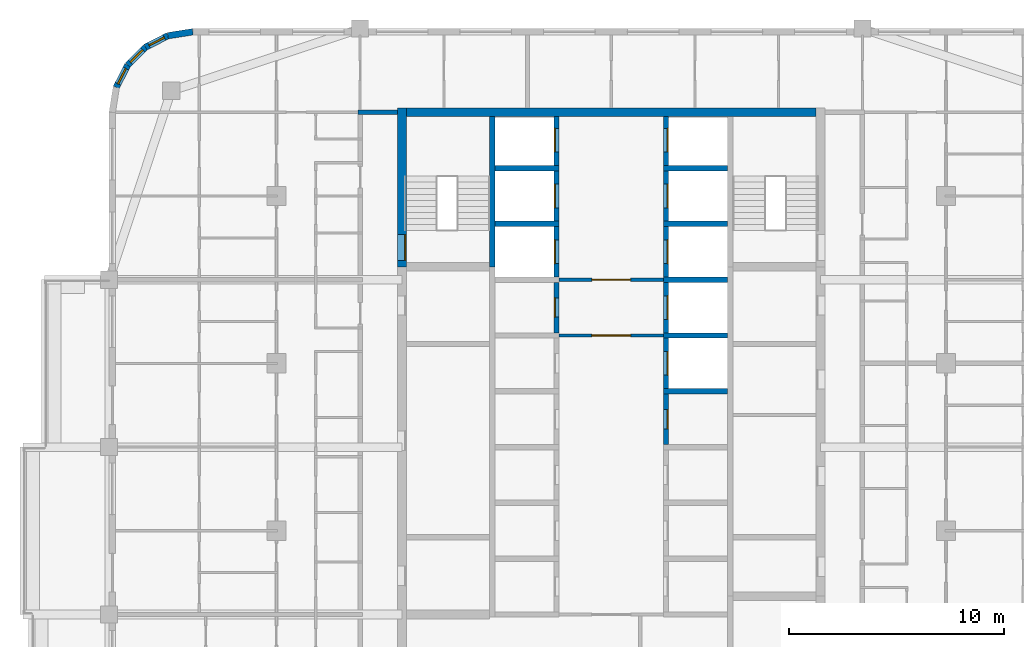
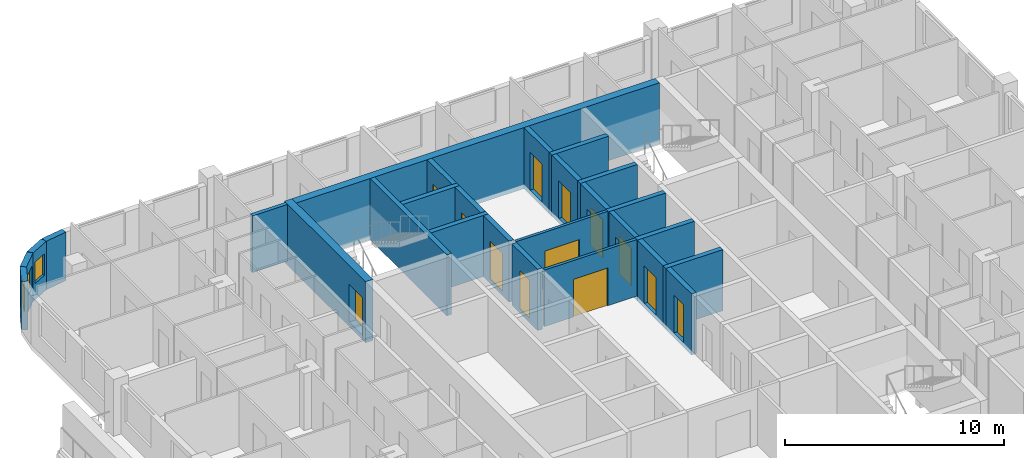
# One storey, part 9 of 16: 27 walls, 13 doors, 3 windows, 16 openings.
"""IFC4 building model written with IfcOpenShell, lengths in metres."""

from ifc_helpers import new_model, si_unit, direction, frame, frame_2d, origin, place, context, subcontext, project, spatial, rectangle, extrude, material, layer, layer_set, type_object, element, fill, save


model = new_model("IFC4")

# Units and contexts
model_context = context("Model", 3, precision=1e-05, world=origin(), true_north=direction((0.0, 1.0)))
body_context = subcontext(model_context, "Body", "Model", "MODEL_VIEW")
ifc_project = project(units=[si_unit("LENGTHUNIT", "METRE"), si_unit("AREAUNIT", "SQUARE_METRE"), si_unit("VOLUMEUNIT", "CUBIC_METRE"), si_unit("PLANEANGLEUNIT", "RADIAN"), si_unit("MASSUNIT", "GRAM", prefix="KILO")], contexts=[model_context])

# Site, building, storey
site_placement = place(None, origin())
site = spatial("IfcSite", under=ifc_project, at=site_placement, CompositionType="ELEMENT")
building_placement = place(site_placement, origin())
building = spatial("IfcBuilding", under=site, at=building_placement, Name="Ludao Terraces", CompositionType="ELEMENT")
storey_placement = place(building_placement, frame((0.0, 0.0, 207.5)))
storey = spatial("IfcBuildingStorey", under=building, at=storey_placement, Name="L56", CompositionType="ELEMENT", Elevation=207.5)

# Wall, opening, door
ifc_material_1 = material(Name="Concrete C50", Category="concrete")
ifc_layer_1 = layer(ifc_material_1, 0.39990234375)
ifc_layer_set_1 = layer_set([ifc_layer_1], Name="Core wall 400 C50")
wall_type_1 = type_object("IfcWallType", Name="Core wall 400 C50", PredefinedType="SOLIDWALL", material=ifc_layer_set_1)
wall_1_placement = place(storey_placement, frame((75.25, 77.300048828125, -0.25), z_axis=(0.0, 0.0, 1.0), x_axis=(0.0, 1.0, 0.0)))
wall_1 = element("IfcWall", 1, at=wall_1_placement, inside=storey, type_object=wall_type_1, Name="Core wall L56 outer-W-S1", PredefinedType="SOLIDWALL", context=body_context, shape_type="SweptSolid", body=[
    extrude(rectangle(XDim=7.39990234375, YDim=0.39990234375, at=frame_2d((3.699951171875, 0.0))), origin(), (0.0, 0.0, 1.0), 3.39990234375),
])
opening_1_placement = place(wall_1_placement, frame((0.300048828125, 0.0, 0.25)))
opening_1 = element("IfcOpeningElement", 2, at=opening_1_placement, cuts=wall_1, Name="Opening R20-109", PredefinedType="OPENING", context=body_context, shape_type="SweptSolid", body=[
    extrude(rectangle(XDim=1.199951171875, YDim=2.10009765625, at=frame_2d((0.60009765625, 1.050048828125))), frame((0.0, 0.2099609375, 0.0), z_axis=(0.0, -1.0, 0.0), x_axis=(1.0, 0.0, 0.0)), (0.0, 0.0, 1.0), 0.419921875),
])
ifc_material_2 = material(Name="Steel Q235", Category="steel")
door_type_1 = type_object("IfcDoorType", Name="INT Stair door 1200", OperationType="DOUBLE_DOOR_SINGLE_SWING", PredefinedType="DOOR", material=ifc_material_2)
door_1_placement = place(opening_1_placement, origin())
door_1 = element("IfcDoor", 3, at=door_1_placement, inside=storey, type_object=door_type_1, Name="DOOR 109", OperationType="DOUBLE_DOOR_SINGLE_SWING", OverallHeight=2.10009765625, OverallWidth=1.199951171875, PredefinedType="DOOR", context=body_context, shape_type="SweptSolid", body=[
    extrude(rectangle(XDim=1.199951171875, YDim=2.10009765625, at=frame_2d((0.60009765625, 1.050048828125))), frame((0.0, -0.134765625, 0.0), z_axis=(0.0, -1.0, 0.0), x_axis=(1.0, 0.0, 0.0)), (0.0, 0.0, 1.0), 0.050048828125),
])
fill(opening_1, door_1)

# Walls
wall_2_placement = place(storey_placement, frame((75.449951171875, 84.5, -0.25), z_axis=(0.0, 0.0, 1.0), x_axis=(1.0, 0.0, 0.0)))
element("IfcWall", 4, at=wall_2_placement, inside=storey, type_object=wall_type_1, Name="Core wall L56 outer-N", PredefinedType="SOLIDWALL", context=body_context, shape_type="SweptSolid", body=[
    extrude(rectangle(XDim=19.10009765625, YDim=0.39990234375, at=frame_2d((9.550048828125, 0.0))), origin(), (0.0, 0.0, 1.0), 3.39990234375),
])
ifc_material_3 = material(Name="Granite cladding", Category="masonry")
ifc_layer_2 = layer(ifc_material_3, 0.0400390625, Category="stone")
ifc_material_4 = material(Name="Mineral wool")
ifc_layer_3 = layer(ifc_material_4, 0.06005859375)
ifc_material_5 = material(Name="Concrete C40", Category="concrete")
ifc_layer_4 = layer(ifc_material_5, 0.199951171875, Category="concrete")
ifc_layer_set_2 = layer_set([ifc_layer_2, ifc_layer_3, ifc_layer_4], Name="ENV Stone-clad wall 300")
wall_type_2 = type_object("IfcWallType", Name="ENV Stone-clad wall 300", PredefinedType="SOLIDWALL", material=ifc_layer_set_2)
wall_3_placement = place(storey_placement, frame((65.5, 88.25, 0.0), z_axis=(0.0, 0.0, 1.0), x_axis=(-0.987678452879, -0.156496880861, 0.0)))
element("IfcWall", 5, at=wall_3_placement, inside=storey, type_object=wall_type_2, Name="EW-L56-NW1", PredefinedType="SOLIDWALL", context=body_context, shape_type="SweptSolid", body=[
    extrude(rectangle(XDim=1.173095703125, YDim=0.300048828125, at=frame_2d((0.58642578125, 0.0))), origin(), (0.0, 0.0, 1.0), 2.699951171875),
])

# Wall, opening, window
wall_4_placement = place(storey_placement, frame((64.34130859375, 88.06640625, 0.0), z_axis=(0.0, 0.0, 1.0), x_axis=(-0.890988677504, -0.454025524128, 0.0)))
wall_4 = element("IfcWall", 6, at=wall_4_placement, inside=storey, type_object=wall_type_2, Name="EW-L56-NW2", PredefinedType="SOLIDWALL", context=body_context, shape_type="SweptSolid", body=[
    extrude(rectangle(XDim=1.17333984375, YDim=0.300048828125, at=frame_2d((0.586669921875, 0.0))), origin(), (0.0, 0.0, 1.0), 2.699951171875),
])
opening_2_placement = place(wall_4_placement, frame((0.1865234375, 0.0, 0.89990234375)))
opening_2 = element("IfcOpeningElement", 7, at=opening_2_placement, cuts=wall_4, Name="Opening W3", PredefinedType="OPENING", context=body_context, shape_type="SweptSolid", body=[
    extrude(rectangle(XDim=0.800048828125, YDim=1.199951171875, at=frame_2d((0.39990234375, 0.60009765625))), frame((0.0, 0.16015625, 0.0), z_axis=(0.0, -1.0, 0.0), x_axis=(1.0, 0.0, 0.0)), (0.0, 0.0, 1.0), 0.320068359375),
])
ifc_material_6 = material(Name="Clear glass in aluminium frame", Category="aluminium")
ifc_layer_5 = layer(ifc_material_6, 0.06005859375)
ifc_layer_set_3 = layer_set([ifc_layer_5], Name="ENV Window W3 800x1200")
window_type = type_object("IfcWindowType", Name="ENV Window W3 800x1200", PartitioningType="SINGLE_PANEL", PredefinedType="WINDOW", material=ifc_layer_set_3)
window_1_placement = place(opening_2_placement, origin())
window_1 = element("IfcWindow", 8, at=window_1_placement, inside=storey, type_object=window_type, Name="W-L56-NW2", OverallHeight=1.199951171875, OverallWidth=0.800048828125, PartitioningType="SINGLE_PANEL", PredefinedType="WINDOW", context=body_context, shape_type="SweptSolid", body=[
    extrude(rectangle(XDim=0.800048828125, YDim=1.199951171875, at=frame_2d((0.39990234375, 0.60009765625))), frame((0.0, 0.030029296875, 0.0), z_axis=(0.0, -1.0, 0.0), x_axis=(1.0, 0.0, 0.0)), (0.0, 0.0, 1.0), 0.06005859375),
])
fill(opening_2, window_1)

wall_5_placement = place(storey_placement, frame((63.2958984375, 87.53369140625, 0.0), z_axis=(0.0, 0.0, 1.0), x_axis=(-0.707106781187, -0.707106781187, 0.0)))
wall_5 = element("IfcWall", 9, at=wall_5_placement, inside=storey, type_object=wall_type_2, Name="EW-L56-NW3", PredefinedType="SOLIDWALL", context=body_context, shape_type="SweptSolid", body=[
    extrude(rectangle(XDim=1.173095703125, YDim=0.300048828125, at=frame_2d((0.58642578125, 0.0))), origin(), (0.0, 0.0, 1.0), 2.699951171875),
])
opening_3_placement = place(wall_5_placement, frame((0.1865234375, 0.0, 0.89990234375)))
opening_3 = element("IfcOpeningElement", 10, at=opening_3_placement, cuts=wall_5, Name="Opening W3", PredefinedType="OPENING", context=body_context, shape_type="SweptSolid", body=[
    extrude(rectangle(XDim=0.800048828125, YDim=1.199951171875, at=frame_2d((0.39990234375, 0.60009765625))), frame((0.0, 0.16015625, 0.0), z_axis=(0.0, -1.0, 0.0), x_axis=(1.0, 0.0, 0.0)), (0.0, 0.0, 1.0), 0.320068359375),
])
window_2_placement = place(opening_3_placement, origin())
window_2 = element("IfcWindow", 11, at=window_2_placement, inside=storey, type_object=window_type, Name="W-L56-NW3", OverallHeight=1.199951171875, OverallWidth=0.800048828125, PartitioningType="SINGLE_PANEL", PredefinedType="WINDOW", context=body_context, shape_type="SweptSolid", body=[
    extrude(rectangle(XDim=0.800048828125, YDim=1.199951171875, at=frame_2d((0.39990234375, 0.60009765625))), frame((0.0, 0.030029296875, 0.0), z_axis=(0.0, -1.0, 0.0), x_axis=(1.0, 0.0, 0.0)), (0.0, 0.0, 1.0), 0.06005859375),
])
fill(opening_3, window_2)

wall_6_placement = place(storey_placement, frame((62.46630859375, 86.7041015625, 0.0), z_axis=(0.0, 0.0, 1.0), x_axis=(-0.454025524128, -0.890988677504, 0.0)))
wall_6 = element("IfcWall", 12, at=wall_6_placement, inside=storey, type_object=wall_type_2, Name="EW-L56-NW4", PredefinedType="SOLIDWALL", context=body_context, shape_type="SweptSolid", body=[
    extrude(rectangle(XDim=1.17333984375, YDim=0.300048828125, at=frame_2d((0.586669921875, 0.0))), origin(), (0.0, 0.0, 1.0), 2.699951171875),
])
opening_4_placement = place(wall_6_placement, frame((0.1865234375, 0.0, 0.89990234375)))
opening_4 = element("IfcOpeningElement", 13, at=opening_4_placement, cuts=wall_6, Name="Opening W3", PredefinedType="OPENING", context=body_context, shape_type="SweptSolid", body=[
    extrude(rectangle(XDim=0.800048828125, YDim=1.199951171875, at=frame_2d((0.39990234375, 0.60009765625))), frame((0.0, 0.16015625, 0.0), z_axis=(0.0, -1.0, 0.0), x_axis=(1.0, 0.0, 0.0)), (0.0, 0.0, 1.0), 0.320068359375),
])
window_3_placement = place(opening_4_placement, origin())
window_3 = element("IfcWindow", 14, at=window_3_placement, inside=storey, type_object=window_type, Name="W-L56-NW4", OverallHeight=1.199951171875, OverallWidth=0.800048828125, PartitioningType="SINGLE_PANEL", PredefinedType="WINDOW", context=body_context, shape_type="SweptSolid", body=[
    extrude(rectangle(XDim=0.800048828125, YDim=1.199951171875, at=frame_2d((0.39990234375, 0.60009765625))), frame((0.0, 0.030029296875, 0.0), z_axis=(0.0, -1.0, 0.0), x_axis=(1.0, 0.0, 0.0)), (0.0, 0.0, 1.0), 0.06005859375),
])
fill(opening_4, window_3)

# Wall, opening, door
ifc_material_7 = material(Name="Fire-rated gypsum plasterboard", Category="gypsum")
ifc_layer_6 = layer(ifc_material_7, 0.012451171875, Category="gypsum")
ifc_layer_7 = layer(ifc_material_4, 0.10009765625, Name="insulation")
ifc_layer_8 = layer(ifc_material_2, 0.02490234375, Name="stud")
ifc_layer_9 = layer(ifc_material_7, 0.012451171875, Category="gypsum")
ifc_layer_set_4 = layer_set([ifc_layer_6, ifc_layer_7, ifc_layer_8, ifc_layer_9], Name="INT Core partition 150")
wall_type_3 = type_object("IfcWallType", Name="INT Core partition 150", PredefinedType="PARTITIONING", material=ifc_layer_set_4)
wall_7_placement = place(storey_placement, frame((82.5751953125, 74.10009765625, 0.0), z_axis=(0.0, 0.0, 1.0), x_axis=(1.0, 0.0, 0.0)))
wall_7 = element("IfcWall", 15, at=wall_7_placement, inside=storey, type_object=wall_type_3, Name="PW-L56-PW047", PredefinedType="PARTITIONING", context=body_context, shape_type="SweptSolid", body=[
    extrude(rectangle(XDim=4.849853515625, YDim=0.14990234375, at=frame_2d((2.4248046875, 0.0))), origin(), (0.0, 0.0, 1.0), 3.14990234375),
])
opening_5_placement = place(wall_7_placement, frame((1.52490234375, 0.0, 0.0)))
opening_5 = element("IfcOpeningElement", 16, at=opening_5_placement, cuts=wall_7, Name="Opening R20-091", PredefinedType="OPENING", context=body_context, shape_type="SweptSolid", body=[
    extrude(rectangle(XDim=1.800048828125, YDim=2.10009765625, at=frame_2d((0.89990234375, 1.050048828125))), frame((0.0, 0.0849609375, 0.0), z_axis=(0.0, -1.0, 0.0), x_axis=(1.0, 0.0, 0.0)), (0.0, 0.0, 1.0), 0.169921875),
])
door_type_2 = type_object("IfcDoorType", Name="INT Fire lobby door 1800", OperationType="DOUBLE_DOOR_SINGLE_SWING", PredefinedType="DOOR", material=ifc_material_2)
door_2_placement = place(opening_5_placement, origin())
door_2 = element("IfcDoor", 17, at=door_2_placement, inside=storey, type_object=door_type_2, Name="DOOR 091", OperationType="DOUBLE_DOOR_SINGLE_SWING", OverallHeight=2.10009765625, OverallWidth=1.800048828125, PredefinedType="DOOR", context=body_context, shape_type="SweptSolid", body=[
    extrude(rectangle(XDim=1.800048828125, YDim=2.10009765625, at=frame_2d((0.89990234375, 1.050048828125))), frame((0.0, 0.02490234375, 0.0), z_axis=(0.0, -1.0, 0.0), x_axis=(1.0, 0.0, 0.0)), (0.0, 0.0, 1.0), 0.050048828125),
])
fill(opening_5, door_2)

wall_8_placement = place(storey_placement, frame((82.5751953125, 76.699951171875, 0.0), z_axis=(0.0, 0.0, 1.0), x_axis=(1.0, 0.0, 0.0)))
wall_8 = element("IfcWall", 18, at=wall_8_placement, inside=storey, type_object=wall_type_3, Name="PW-L56-PW053", PredefinedType="PARTITIONING", context=body_context, shape_type="SweptSolid", body=[
    extrude(rectangle(XDim=4.849853515625, YDim=0.14990234375, at=frame_2d((2.4248046875, 0.0))), origin(), (0.0, 0.0, 1.0), 3.14990234375),
])
opening_6_placement = place(wall_8_placement, frame((1.52490234375, 0.0, 0.0)))
opening_6 = element("IfcOpeningElement", 19, at=opening_6_placement, cuts=wall_8, Name="Opening R20-104", PredefinedType="OPENING", context=body_context, shape_type="SweptSolid", body=[
    extrude(rectangle(XDim=1.800048828125, YDim=2.10009765625, at=frame_2d((0.89990234375, 1.050048828125))), frame((0.0, 0.0849609375, 0.0), z_axis=(0.0, -1.0, 0.0), x_axis=(1.0, 0.0, 0.0)), (0.0, 0.0, 1.0), 0.169921875),
])
door_3_placement = place(opening_6_placement, origin())
door_3 = element("IfcDoor", 20, at=door_3_placement, inside=storey, type_object=door_type_2, Name="DOOR 104", OperationType="DOUBLE_DOOR_SINGLE_SWING", OverallHeight=2.10009765625, OverallWidth=1.800048828125, PredefinedType="DOOR", context=body_context, shape_type="SweptSolid", body=[
    extrude(rectangle(XDim=1.800048828125, YDim=2.10009765625, at=frame_2d((0.89990234375, 1.050048828125))), frame((0.0, 0.02490234375, 0.0), z_axis=(0.0, -1.0, 0.0), x_axis=(1.0, 0.0, 0.0)), (0.0, 0.0, 1.0), 0.050048828125),
])
fill(opening_6, door_3)

# Walls
ifc_material_8 = material(Name="Autoclaved aerated concrete block B06 A3.5", Category="concrete")
ifc_layer_10 = layer(ifc_material_8, 0.199951171875)
ifc_layer_set_5 = layer_set([ifc_layer_10], Name="INT Entrance wall 200")
wall_type_4 = type_object("IfcWallType", Name="INT Entrance wall 200", PredefinedType="PARTITIONING", material=ifc_layer_set_5)
wall_9_placement = place(storey_placement, frame((73.2001953125, 84.5, 0.0), z_axis=(0.0, 0.0, 1.0), x_axis=(1.0, 0.0, 0.0)))
element("IfcWall", 21, at=wall_9_placement, inside=storey, type_object=wall_type_4, Name="PW-L56-PW067", PredefinedType="PARTITIONING", context=body_context, shape_type="SweptSolid", body=[
    extrude(rectangle(XDim=1.849853515625, YDim=0.199951171875, at=frame_2d((0.9248046875, 0.0))), origin(), (0.0, 0.0, 1.0), 3.14990234375),
])
ifc_layer_11 = layer(ifc_material_1, 0.25)
ifc_layer_set_6 = layer_set([ifc_layer_11], Name="Shaft wall 250 C50")
wall_type_5 = type_object("IfcWallType", Name="Shaft wall 250 C50", PredefinedType="SOLIDWALL", material=ifc_layer_set_6)
wall_10_placement = place(storey_placement, frame((79.449951171875, 77.300048828125, -0.25), z_axis=(0.0, 0.0, 1.0), x_axis=(0.0, 1.0, 0.0)))
element("IfcWall", 22, at=wall_10_placement, inside=storey, type_object=wall_type_5, Name="Core wall L56 back-W-S1", PredefinedType="SOLIDWALL", context=body_context, shape_type="SweptSolid", body=[
    extrude(rectangle(XDim=7.0, YDim=0.25, at=frame_2d((3.5, 0.0))), origin(), (0.0, 0.0, 1.0), 3.39990234375),
])

# Wall, opening, door
wall_11_placement = place(storey_placement, frame((82.449951171875, 74.22509765625, -0.25), z_axis=(0.0, 0.0, 1.0), x_axis=(0.0, 1.0, 0.0)))
wall_11 = element("IfcWall", 23, at=wall_11_placement, inside=storey, type_object=wall_type_5, Name="Core wall L56 front-W6", PredefinedType="SOLIDWALL", context=body_context, shape_type="SweptSolid", body=[
    extrude(rectangle(XDim=2.349853515625, YDim=0.25, at=frame_2d((1.1748046875, 0.0))), origin(), (0.0, 0.0, 1.0), 3.39990234375),
])
opening_7_placement = place(wall_11_placement, frame((0.72509765625, 0.0, 0.25)))
opening_7 = element("IfcOpeningElement", 24, at=opening_7_placement, cuts=wall_11, Name="Opening R20-094", PredefinedType="OPENING", context=body_context, shape_type="SweptSolid", body=[
    extrude(rectangle(XDim=0.89990234375, YDim=2.10009765625, at=frame_2d((0.449951171875, 1.050048828125))), frame((0.0, 0.135009765625, 0.0), z_axis=(0.0, -1.0, 0.0), x_axis=(1.0, 0.0, 0.0)), (0.0, 0.0, 1.0), 0.27001953125),
])
ifc_material_9 = material(Name="Timber door leaf", Category="wood")
door_type_3 = type_object("IfcDoorType", Name="INT Room door 900", OperationType="SINGLE_SWING_LEFT", PredefinedType="DOOR", material=ifc_material_9)
door_4_placement = place(opening_7_placement, origin())
door_4 = element("IfcDoor", 25, at=door_4_placement, inside=storey, type_object=door_type_3, Name="DOOR 094", OperationType="SINGLE_SWING_LEFT", OverallHeight=2.10009765625, OverallWidth=0.89990234375, PredefinedType="DOOR", context=body_context, shape_type="SweptSolid", body=[
    extrude(rectangle(XDim=0.89990234375, YDim=2.10009765625, at=frame_2d((0.449951171875, 1.050048828125))), frame((0.0, 0.10986328125, 0.0), z_axis=(0.0, -1.0, 0.0), x_axis=(1.0, 0.0, 0.0)), (0.0, 0.0, 1.0), 0.050048828125),
])
fill(opening_7, door_4)

wall_12_placement = place(storey_placement, frame((82.449951171875, 76.824951171875, -0.25), z_axis=(0.0, 0.0, 1.0), x_axis=(0.0, 1.0, 0.0)))
wall_12 = element("IfcWall", 26, at=wall_12_placement, inside=storey, type_object=wall_type_5, Name="Core wall L56 front-W7", PredefinedType="SOLIDWALL", context=body_context, shape_type="SweptSolid", body=[
    extrude(rectangle(XDim=2.35009765625, YDim=0.25, at=frame_2d((1.175048828125, 0.0))), origin(), (0.0, 0.0, 1.0), 3.39990234375),
])
opening_8_placement = place(wall_12_placement, frame((0.625, 0.0, 0.25)))
opening_8 = element("IfcOpeningElement", 27, at=opening_8_placement, cuts=wall_12, Name="Opening LD-FF1", PredefinedType="OPENING", context=body_context, shape_type="SweptSolid", body=[
    extrude(rectangle(XDim=1.10009765625, YDim=2.10009765625, at=frame_2d((0.550048828125, 1.050048828125))), frame((0.0, 0.135009765625, 0.0), z_axis=(0.0, -1.0, 0.0), x_axis=(1.0, 0.0, 0.0)), (0.0, 0.0, 1.0), 0.27001953125),
])
ifc_material_10 = material(Name="Stainless steel 304", Category="steel")
door_type_4 = type_object("IfcDoorType", Name="INT Lift landing door 1100", OperationType="SLIDING_TO_LEFT", PredefinedType="DOOR", material=ifc_material_10)
door_5_placement = place(opening_8_placement, origin())
door_5 = element("IfcDoor", 28, at=door_5_placement, inside=storey, type_object=door_type_4, Name="LANDING DOOR FF1 L56", OperationType="SLIDING_TO_LEFT", OverallHeight=2.10009765625, OverallWidth=1.10009765625, PredefinedType="DOOR", context=body_context, shape_type="SweptSolid", body=[
    extrude(rectangle(XDim=1.10009765625, YDim=2.10009765625, at=frame_2d((0.550048828125, 1.050048828125))), frame((0.0, 0.10986328125, 0.0), z_axis=(0.0, -1.0, 0.0), x_axis=(1.0, 0.0, 0.0)), (0.0, 0.0, 1.0), 0.050048828125),
])
fill(opening_8, door_5)

# Wall
wall_13_placement = place(storey_placement, frame((79.574951171875, 79.300048828125, -0.25), z_axis=(0.0, 0.0, 1.0), x_axis=(1.0, 0.0, 0.0)))
element("IfcWall", 29, at=wall_13_placement, inside=storey, type_object=wall_type_5, Name="Core wall L56 div-W8", PredefinedType="SOLIDWALL", context=body_context, shape_type="SweptSolid", body=[
    extrude(rectangle(XDim=3.0, YDim=0.25, at=frame_2d((1.5, 0.0))), origin(), (0.0, 0.0, 1.0), 3.39990234375),
])

# Wall, opening, door
wall_14_placement = place(storey_placement, frame((82.449951171875, 79.425048828125, -0.25), z_axis=(0.0, 0.0, 1.0), x_axis=(0.0, 1.0, 0.0)))
wall_14 = element("IfcWall", 30, at=wall_14_placement, inside=storey, type_object=wall_type_5, Name="Core wall L56 front-W8", PredefinedType="SOLIDWALL", context=body_context, shape_type="SweptSolid", body=[
    extrude(rectangle(XDim=2.349853515625, YDim=0.25, at=frame_2d((1.1748046875, 0.0))), origin(), (0.0, 0.0, 1.0), 3.39990234375),
])
opening_9_placement = place(wall_14_placement, frame((0.625, 0.0, 0.25)))
opening_9 = element("IfcOpeningElement", 31, at=opening_9_placement, cuts=wall_14, Name="Opening LD-FF2", PredefinedType="OPENING", context=body_context, shape_type="SweptSolid", body=[
    extrude(rectangle(XDim=1.10009765625, YDim=2.10009765625, at=frame_2d((0.550048828125, 1.050048828125))), frame((0.0, 0.135009765625, 0.0), z_axis=(0.0, -1.0, 0.0), x_axis=(1.0, 0.0, 0.0)), (0.0, 0.0, 1.0), 0.27001953125),
])
door_6_placement = place(opening_9_placement, origin())
door_6 = element("IfcDoor", 32, at=door_6_placement, inside=storey, type_object=door_type_4, Name="LANDING DOOR FF2 L56", OperationType="SLIDING_TO_LEFT", OverallHeight=2.10009765625, OverallWidth=1.10009765625, PredefinedType="DOOR", context=body_context, shape_type="SweptSolid", body=[
    extrude(rectangle(XDim=1.10009765625, YDim=2.10009765625, at=frame_2d((0.550048828125, 1.050048828125))), frame((0.0, 0.10986328125, 0.0), z_axis=(0.0, -1.0, 0.0), x_axis=(1.0, 0.0, 0.0)), (0.0, 0.0, 1.0), 0.050048828125),
])
fill(opening_9, door_6)

# Wall
wall_15_placement = place(storey_placement, frame((79.574951171875, 81.89990234375, -0.25), z_axis=(0.0, 0.0, 1.0), x_axis=(1.0, 0.0, 0.0)))
element("IfcWall", 33, at=wall_15_placement, inside=storey, type_object=wall_type_5, Name="Core wall L56 div-W9", PredefinedType="SOLIDWALL", context=body_context, shape_type="SweptSolid", body=[
    extrude(rectangle(XDim=3.0, YDim=0.25, at=frame_2d((1.5, 0.0))), origin(), (0.0, 0.0, 1.0), 3.39990234375),
])

# Wall, opening, door
wall_16_placement = place(storey_placement, frame((82.449951171875, 82.02490234375, -0.25), z_axis=(0.0, 0.0, 1.0), x_axis=(0.0, 1.0, 0.0)))
wall_16 = element("IfcWall", 34, at=wall_16_placement, inside=storey, type_object=wall_type_5, Name="Core wall L56 front-W9", PredefinedType="SOLIDWALL", context=body_context, shape_type="SweptSolid", body=[
    extrude(rectangle(XDim=2.275146484375, YDim=0.25, at=frame_2d((1.1376953125, 0.0))), origin(), (0.0, 0.0, 1.0), 3.39990234375),
])
opening_10_placement = place(wall_16_placement, frame((0.625, 0.0, 0.25)))
opening_10 = element("IfcOpeningElement", 35, at=opening_10_placement, cuts=wall_16, Name="Opening LD-LB6", PredefinedType="OPENING", context=body_context, shape_type="SweptSolid", body=[
    extrude(rectangle(XDim=1.10009765625, YDim=2.10009765625, at=frame_2d((0.550048828125, 1.050048828125))), frame((0.0, 0.135009765625, 0.0), z_axis=(0.0, -1.0, 0.0), x_axis=(1.0, 0.0, 0.0)), (0.0, 0.0, 1.0), 0.27001953125),
])
door_7_placement = place(opening_10_placement, origin())
door_7 = element("IfcDoor", 36, at=door_7_placement, inside=storey, type_object=door_type_4, Name="LANDING DOOR LB6 L56", OperationType="SLIDING_TO_RIGHT", OverallHeight=2.10009765625, OverallWidth=1.10009765625, PredefinedType="DOOR", context=body_context, shape_type="SweptSolid", body=[
    extrude(rectangle(XDim=1.10009765625, YDim=2.10009765625, at=frame_2d((0.550048828125, 1.050048828125))), frame((0.0, 0.10986328125, 0.0), z_axis=(0.0, -1.0, 0.0), x_axis=(1.0, 0.0, 0.0)), (0.0, 0.0, 1.0), 0.050048828125),
])
fill(opening_10, door_7)

wall_17_placement = place(storey_placement, frame((87.550048828125, 69.02490234375, -0.25), z_axis=(0.0, 0.0, 1.0), x_axis=(0.0, 1.0, 0.0)))
wall_17 = element("IfcWall", 37, at=wall_17_placement, inside=storey, type_object=wall_type_5, Name="Core wall L56 front-E4", PredefinedType="SOLIDWALL", context=body_context, shape_type="SweptSolid", body=[
    extrude(rectangle(XDim=2.35009765625, YDim=0.25, at=frame_2d((1.175048828125, 0.0))), origin(), (0.0, 0.0, 1.0), 3.39990234375),
])
opening_11_placement = place(wall_17_placement, frame((0.72509765625, 0.0, 0.25)))
opening_11 = element("IfcOpeningElement", 38, at=opening_11_placement, cuts=wall_17, Name="Opening R20-079", PredefinedType="OPENING", context=body_context, shape_type="SweptSolid", body=[
    extrude(rectangle(XDim=0.89990234375, YDim=2.10009765625, at=frame_2d((0.449951171875, 1.050048828125))), frame((0.0, 0.135009765625, 0.0), z_axis=(0.0, -1.0, 0.0), x_axis=(1.0, 0.0, 0.0)), (0.0, 0.0, 1.0), 0.27001953125),
])
door_8_placement = place(opening_11_placement, origin())
door_8 = element("IfcDoor", 39, at=door_8_placement, inside=storey, type_object=door_type_3, Name="DOOR 079", OperationType="SINGLE_SWING_LEFT", OverallHeight=2.10009765625, OverallWidth=0.89990234375, PredefinedType="DOOR", context=body_context, shape_type="SweptSolid", body=[
    extrude(rectangle(XDim=0.89990234375, YDim=2.10009765625, at=frame_2d((0.449951171875, 1.050048828125))), frame((0.0, -0.06005859375, 0.0), z_axis=(0.0, -1.0, 0.0), x_axis=(1.0, 0.0, 0.0)), (0.0, 0.0, 1.0), 0.050048828125),
])
fill(opening_11, door_8)

# Wall
wall_18_placement = place(storey_placement, frame((87.425048828125, 71.5, -0.25), z_axis=(0.0, 0.0, 1.0), x_axis=(1.0, 0.0, 0.0)))
element("IfcWall", 40, at=wall_18_placement, inside=storey, type_object=wall_type_5, Name="Core wall L56 div-E5", PredefinedType="SOLIDWALL", context=body_context, shape_type="SweptSolid", body=[
    extrude(rectangle(XDim=3.0, YDim=0.25, at=frame_2d((1.5, 0.0))), origin(), (0.0, 0.0, 1.0), 3.39990234375),
])

# Wall, opening, door
wall_19_placement = place(storey_placement, frame((87.550048828125, 71.625, -0.25), z_axis=(0.0, 0.0, 1.0), x_axis=(0.0, 1.0, 0.0)))
wall_19 = element("IfcWall", 41, at=wall_19_placement, inside=storey, type_object=wall_type_5, Name="Core wall L56 front-E5", PredefinedType="SOLIDWALL", context=body_context, shape_type="SweptSolid", body=[
    extrude(rectangle(XDim=2.35009765625, YDim=0.25, at=frame_2d((1.175048828125, 0.0))), origin(), (0.0, 0.0, 1.0), 3.39990234375),
])
opening_12_placement = place(wall_19_placement, frame((0.625, 0.0, 0.25)))
opening_12 = element("IfcOpeningElement", 42, at=opening_12_placement, cuts=wall_19, Name="Opening LD-LB1", PredefinedType="OPENING", context=body_context, shape_type="SweptSolid", body=[
    extrude(rectangle(XDim=1.10009765625, YDim=2.10009765625, at=frame_2d((0.550048828125, 1.050048828125))), frame((0.0, 0.135009765625, 0.0), z_axis=(0.0, -1.0, 0.0), x_axis=(1.0, 0.0, 0.0)), (0.0, 0.0, 1.0), 0.27001953125),
])
door_9_placement = place(opening_12_placement, origin())
door_9 = element("IfcDoor", 43, at=door_9_placement, inside=storey, type_object=door_type_4, Name="LANDING DOOR LB1 L56", OperationType="SLIDING_TO_LEFT", OverallHeight=2.10009765625, OverallWidth=1.10009765625, PredefinedType="DOOR", context=body_context, shape_type="SweptSolid", body=[
    extrude(rectangle(XDim=1.10009765625, YDim=2.10009765625, at=frame_2d((0.550048828125, 1.050048828125))), frame((0.0, -0.06005859375, 0.0), z_axis=(0.0, -1.0, 0.0), x_axis=(1.0, 0.0, 0.0)), (0.0, 0.0, 1.0), 0.050048828125),
])
fill(opening_12, door_9)

# Wall
wall_20_placement = place(storey_placement, frame((87.425048828125, 74.10009765625, -0.25), z_axis=(0.0, 0.0, 1.0), x_axis=(1.0, 0.0, 0.0)))
element("IfcWall", 44, at=wall_20_placement, inside=storey, type_object=wall_type_5, Name="Core wall L56 div-E6", PredefinedType="SOLIDWALL", context=body_context, shape_type="SweptSolid", body=[
    extrude(rectangle(XDim=3.0, YDim=0.25, at=frame_2d((1.5, 0.0))), origin(), (0.0, 0.0, 1.0), 3.39990234375),
])

# Wall, opening, door
wall_21_placement = place(storey_placement, frame((87.550048828125, 74.22509765625, -0.25), z_axis=(0.0, 0.0, 1.0), x_axis=(0.0, 1.0, 0.0)))
wall_21 = element("IfcWall", 45, at=wall_21_placement, inside=storey, type_object=wall_type_5, Name="Core wall L56 front-E6", PredefinedType="SOLIDWALL", context=body_context, shape_type="SweptSolid", body=[
    extrude(rectangle(XDim=2.349853515625, YDim=0.25, at=frame_2d((1.1748046875, 0.0))), origin(), (0.0, 0.0, 1.0), 3.39990234375),
])
opening_13_placement = place(wall_21_placement, frame((0.625, 0.0, 0.25)))
opening_13 = element("IfcOpeningElement", 46, at=opening_13_placement, cuts=wall_21, Name="Opening LD-LB2", PredefinedType="OPENING", context=body_context, shape_type="SweptSolid", body=[
    extrude(rectangle(XDim=1.10009765625, YDim=2.10009765625, at=frame_2d((0.550048828125, 1.050048828125))), frame((0.0, 0.135009765625, 0.0), z_axis=(0.0, -1.0, 0.0), x_axis=(1.0, 0.0, 0.0)), (0.0, 0.0, 1.0), 0.27001953125),
])
door_10_placement = place(opening_13_placement, origin())
door_10 = element("IfcDoor", 47, at=door_10_placement, inside=storey, type_object=door_type_4, Name="LANDING DOOR LB2 L56", OperationType="SLIDING_TO_LEFT", OverallHeight=2.10009765625, OverallWidth=1.10009765625, PredefinedType="DOOR", context=body_context, shape_type="SweptSolid", body=[
    extrude(rectangle(XDim=1.10009765625, YDim=2.10009765625, at=frame_2d((0.550048828125, 1.050048828125))), frame((0.0, -0.06005859375, 0.0), z_axis=(0.0, -1.0, 0.0), x_axis=(1.0, 0.0, 0.0)), (0.0, 0.0, 1.0), 0.050048828125),
])
fill(opening_13, door_10)

# Wall
wall_22_placement = place(storey_placement, frame((87.425048828125, 76.699951171875, -0.25), z_axis=(0.0, 0.0, 1.0), x_axis=(1.0, 0.0, 0.0)))
element("IfcWall", 48, at=wall_22_placement, inside=storey, type_object=wall_type_5, Name="Core wall L56 div-E7", PredefinedType="SOLIDWALL", context=body_context, shape_type="SweptSolid", body=[
    extrude(rectangle(XDim=3.0, YDim=0.25, at=frame_2d((1.5, 0.0))), origin(), (0.0, 0.0, 1.0), 3.39990234375),
])

# Wall, opening, door
wall_23_placement = place(storey_placement, frame((87.550048828125, 76.824951171875, -0.25), z_axis=(0.0, 0.0, 1.0), x_axis=(0.0, 1.0, 0.0)))
wall_23 = element("IfcWall", 49, at=wall_23_placement, inside=storey, type_object=wall_type_5, Name="Core wall L56 front-E7", PredefinedType="SOLIDWALL", context=body_context, shape_type="SweptSolid", body=[
    extrude(rectangle(XDim=2.35009765625, YDim=0.25, at=frame_2d((1.175048828125, 0.0))), origin(), (0.0, 0.0, 1.0), 3.39990234375),
])
opening_14_placement = place(wall_23_placement, frame((0.625, 0.0, 0.25)))
opening_14 = element("IfcOpeningElement", 50, at=opening_14_placement, cuts=wall_23, Name="Opening LD-LB3", PredefinedType="OPENING", context=body_context, shape_type="SweptSolid", body=[
    extrude(rectangle(XDim=1.10009765625, YDim=2.10009765625, at=frame_2d((0.550048828125, 1.050048828125))), frame((0.0, 0.135009765625, 0.0), z_axis=(0.0, -1.0, 0.0), x_axis=(1.0, 0.0, 0.0)), (0.0, 0.0, 1.0), 0.27001953125),
])
door_11_placement = place(opening_14_placement, origin())
door_11 = element("IfcDoor", 51, at=door_11_placement, inside=storey, type_object=door_type_4, Name="LANDING DOOR LB3 L56", OperationType="SLIDING_TO_LEFT", OverallHeight=2.10009765625, OverallWidth=1.10009765625, PredefinedType="DOOR", context=body_context, shape_type="SweptSolid", body=[
    extrude(rectangle(XDim=1.10009765625, YDim=2.10009765625, at=frame_2d((0.550048828125, 1.050048828125))), frame((0.0, -0.06005859375, 0.0), z_axis=(0.0, -1.0, 0.0), x_axis=(1.0, 0.0, 0.0)), (0.0, 0.0, 1.0), 0.050048828125),
])
fill(opening_14, door_11)

# Wall
wall_24_placement = place(storey_placement, frame((87.425048828125, 79.300048828125, -0.25), z_axis=(0.0, 0.0, 1.0), x_axis=(1.0, 0.0, 0.0)))
element("IfcWall", 52, at=wall_24_placement, inside=storey, type_object=wall_type_5, Name="Core wall L56 div-E8", PredefinedType="SOLIDWALL", context=body_context, shape_type="SweptSolid", body=[
    extrude(rectangle(XDim=3.0, YDim=0.25, at=frame_2d((1.5, 0.0))), origin(), (0.0, 0.0, 1.0), 3.39990234375),
])

# Wall, opening, door
wall_25_placement = place(storey_placement, frame((87.550048828125, 79.425048828125, -0.25), z_axis=(0.0, 0.0, 1.0), x_axis=(0.0, 1.0, 0.0)))
wall_25 = element("IfcWall", 53, at=wall_25_placement, inside=storey, type_object=wall_type_5, Name="Core wall L56 front-E8", PredefinedType="SOLIDWALL", context=body_context, shape_type="SweptSolid", body=[
    extrude(rectangle(XDim=2.349853515625, YDim=0.25, at=frame_2d((1.1748046875, 0.0))), origin(), (0.0, 0.0, 1.0), 3.39990234375),
])
opening_15_placement = place(wall_25_placement, frame((0.625, 0.0, 0.25)))
opening_15 = element("IfcOpeningElement", 54, at=opening_15_placement, cuts=wall_25, Name="Opening LD-LB4", PredefinedType="OPENING", context=body_context, shape_type="SweptSolid", body=[
    extrude(rectangle(XDim=1.10009765625, YDim=2.10009765625, at=frame_2d((0.550048828125, 1.050048828125))), frame((0.0, 0.135009765625, 0.0), z_axis=(0.0, -1.0, 0.0), x_axis=(1.0, 0.0, 0.0)), (0.0, 0.0, 1.0), 0.27001953125),
])
door_12_placement = place(opening_15_placement, origin())
door_12 = element("IfcDoor", 55, at=door_12_placement, inside=storey, type_object=door_type_4, Name="LANDING DOOR LB4 L56", OperationType="SLIDING_TO_RIGHT", OverallHeight=2.10009765625, OverallWidth=1.10009765625, PredefinedType="DOOR", context=body_context, shape_type="SweptSolid", body=[
    extrude(rectangle(XDim=1.10009765625, YDim=2.10009765625, at=frame_2d((0.550048828125, 1.050048828125))), frame((0.0, -0.06005859375, 0.0), z_axis=(0.0, -1.0, 0.0), x_axis=(1.0, 0.0, 0.0)), (0.0, 0.0, 1.0), 0.050048828125),
])
fill(opening_15, door_12)

# Wall
wall_26_placement = place(storey_placement, frame((87.425048828125, 81.89990234375, -0.25), z_axis=(0.0, 0.0, 1.0), x_axis=(1.0, 0.0, 0.0)))
element("IfcWall", 56, at=wall_26_placement, inside=storey, type_object=wall_type_5, Name="Core wall L56 div-E9", PredefinedType="SOLIDWALL", context=body_context, shape_type="SweptSolid", body=[
    extrude(rectangle(XDim=3.0, YDim=0.25, at=frame_2d((1.5, 0.0))), origin(), (0.0, 0.0, 1.0), 3.39990234375),
])

# Wall, opening, door
wall_27_placement = place(storey_placement, frame((87.550048828125, 82.02490234375, -0.25), z_axis=(0.0, 0.0, 1.0), x_axis=(0.0, 1.0, 0.0)))
wall_27 = element("IfcWall", 57, at=wall_27_placement, inside=storey, type_object=wall_type_5, Name="Core wall L56 front-E9", PredefinedType="SOLIDWALL", context=body_context, shape_type="SweptSolid", body=[
    extrude(rectangle(XDim=2.275146484375, YDim=0.25, at=frame_2d((1.1376953125, 0.0))), origin(), (0.0, 0.0, 1.0), 3.39990234375),
])
opening_16_placement = place(wall_27_placement, frame((0.625, 0.0, 0.25)))
opening_16 = element("IfcOpeningElement", 58, at=opening_16_placement, cuts=wall_27, Name="Opening LD-LB5", PredefinedType="OPENING", context=body_context, shape_type="SweptSolid", body=[
    extrude(rectangle(XDim=1.10009765625, YDim=2.10009765625, at=frame_2d((0.550048828125, 1.050048828125))), frame((0.0, 0.135009765625, 0.0), z_axis=(0.0, -1.0, 0.0), x_axis=(1.0, 0.0, 0.0)), (0.0, 0.0, 1.0), 0.27001953125),
])
door_13_placement = place(opening_16_placement, origin())
door_13 = element("IfcDoor", 59, at=door_13_placement, inside=storey, type_object=door_type_4, Name="LANDING DOOR LB5 L56", OperationType="SLIDING_TO_RIGHT", OverallHeight=2.10009765625, OverallWidth=1.10009765625, PredefinedType="DOOR", context=body_context, shape_type="SweptSolid", body=[
    extrude(rectangle(XDim=1.10009765625, YDim=2.10009765625, at=frame_2d((0.550048828125, 1.050048828125))), frame((0.0, -0.06005859375, 0.0), z_axis=(0.0, -1.0, 0.0), x_axis=(1.0, 0.0, 0.0)), (0.0, 0.0, 1.0), 0.050048828125),
])
fill(opening_16, door_13)

save(model, "model.ifc")
